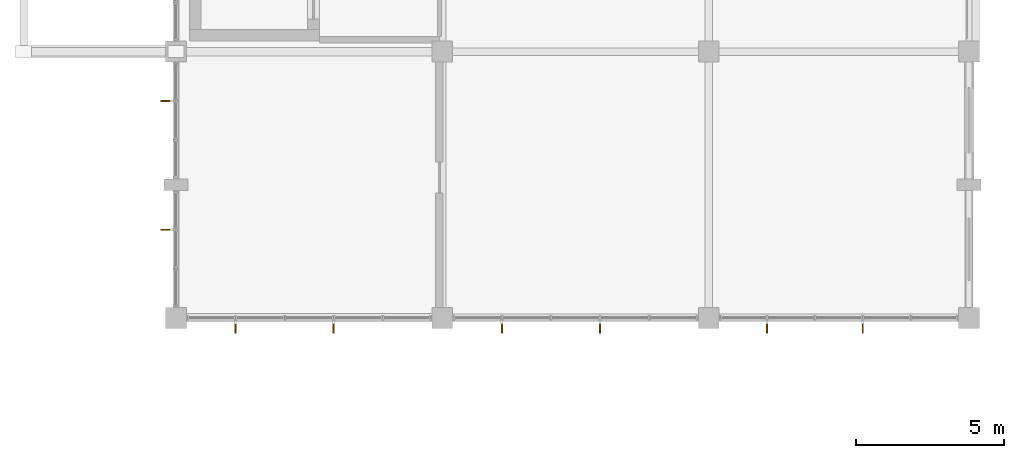
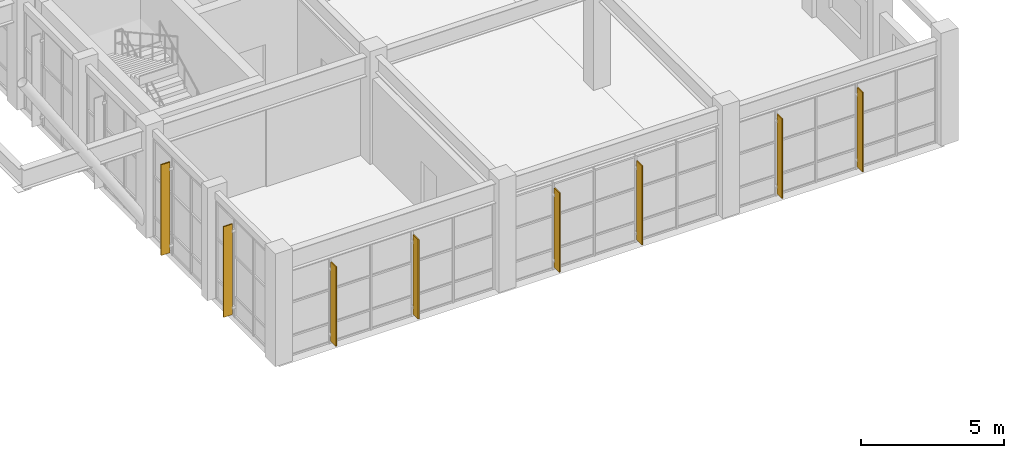
# One storey, part 93 of 99: 8 shading devices.
"""IFC4 building model written with IfcOpenShell, lengths in metres."""

from ifc_helpers import new_model, si_unit, direction, frame, origin, origin_2d, place, context, subcontext, project, spatial, rectangle, extrude, material, type_object, element, save


model = new_model("IFC4")

# Units and contexts
model_context = context("Model", 3, precision=1e-05, world=origin(), true_north=direction((0.0, 1.0)))
body_context = subcontext(model_context, "Body", "Model", "MODEL_VIEW")
ifc_project = project(units=[si_unit("LENGTHUNIT", "METRE"), si_unit("AREAUNIT", "SQUARE_METRE"), si_unit("VOLUMEUNIT", "CUBIC_METRE"), si_unit("PLANEANGLEUNIT", "RADIAN"), si_unit("MASSUNIT", "GRAM", prefix="KILO")], contexts=[model_context])

# Site, building, storey
site_placement = place(None, origin())
site = spatial("IfcSite", under=ifc_project, at=site_placement, CompositionType="ELEMENT")
building_placement = place(site_placement, origin())
building = spatial("IfcBuilding", under=site, at=building_placement, Name="Ventoquebrada Cableway Terminal", CompositionType="ELEMENT")
storey_placement = place(building_placement, frame((0.0, 0.0, 9.60009765625)))
storey = spatial("IfcBuildingStorey", under=building, at=storey_placement, Name="L02", CompositionType="ELEMENT", Elevation=9.60009765625)

# Shading devices
ifc_material = material(Name="Anodized thermally-broken aluminium", Category="aluminium")
shading_device_type = type_object("IfcShadingDeviceType", Name="SHD-AW1", PredefinedType="AWNING", material=ifc_material)
for number, where, z_axis, x_axis, name in (
    (1, (10.212890625, 67.659912109375, 0.1494140625), (0.0, 0.0, 1.0), (1.0, 0.0, 0.0), "Extruded aluminium sunshade fin FN-013"),
    (2, (13.529052734375, 67.659912109375, 0.1494140625), (0.0, 0.0, 1.0), (1.0, 0.0, 0.0), "Extruded aluminium sunshade fin FN-014"),
    (3, (19.212890625, 67.659912109375, 0.1494140625), (0.0, 0.0, 1.0), (1.0, 0.0, 0.0), "Extruded aluminium sunshade fin FN-015"),
    (4, (22.529052734375, 67.659912109375, 0.1494140625), (0.0, 0.0, 1.0), (1.0, 0.0, 0.0), "Extruded aluminium sunshade fin FN-016"),
):
    element("IfcShadingDevice", number, at=place(storey_placement, frame(where, z_axis=z_axis, x_axis=x_axis)), inside=storey, type_object=shading_device_type, Name=name, PredefinedType="AWNING", context=body_context, shape_type="SweptSolid", body=[
        extrude(rectangle(XDim=0.044921875, YDim=0.360107421875, at=origin_2d()), origin(), (0.0, 0.0, 1.0), 3.37890625),
    ])
for number, where, z_axis, x_axis, name in (
    (5, (28.173095703125, 67.659912109375, 0.150390625), (0.0, 0.0, 1.0), (1.0, 0.0, 0.0), "Extruded aluminium sunshade fin FN-017"),
    (6, (31.408935546875, 67.659912109375, 0.150390625), (0.0, 0.0, 1.0), (1.0, 0.0, 0.0), "Extruded aluminium sunshade fin FN-018"),
):
    element("IfcShadingDevice", number, at=place(storey_placement, frame(where, z_axis=z_axis, x_axis=x_axis)), inside=storey, type_object=shading_device_type, Name=name, PredefinedType="AWNING", context=body_context, shape_type="SweptSolid", body=[
        extrude(rectangle(XDim=0.044921875, YDim=0.360107421875, at=origin_2d()), origin(), (0.0, 0.0, 1.0), 3.386962890625),
    ])
for number, where, z_axis, x_axis, name in (
    (7, (7.860107421875, 75.33203125, 0.14990234375), (0.0, 0.0, 1.0), (0.0, -1.0, 0.0), "Extruded aluminium sunshade fin FN-019"),
    (8, (7.860107421875, 70.98193359375, 0.14990234375), (0.0, 0.0, 1.0), (0.0, -1.0, 0.0), "Extruded aluminium sunshade fin FN-020"),
):
    element("IfcShadingDevice", number, at=place(storey_placement, frame(where, z_axis=z_axis, x_axis=x_axis)), inside=storey, type_object=shading_device_type, Name=name, PredefinedType="AWNING", context=body_context, shape_type="SweptSolid", body=[
        extrude(rectangle(XDim=0.044921875, YDim=0.360107421875, at=origin_2d()), origin(), (0.0, 0.0, 1.0), 3.860107421875),
    ])

save(model, "model.ifc")
